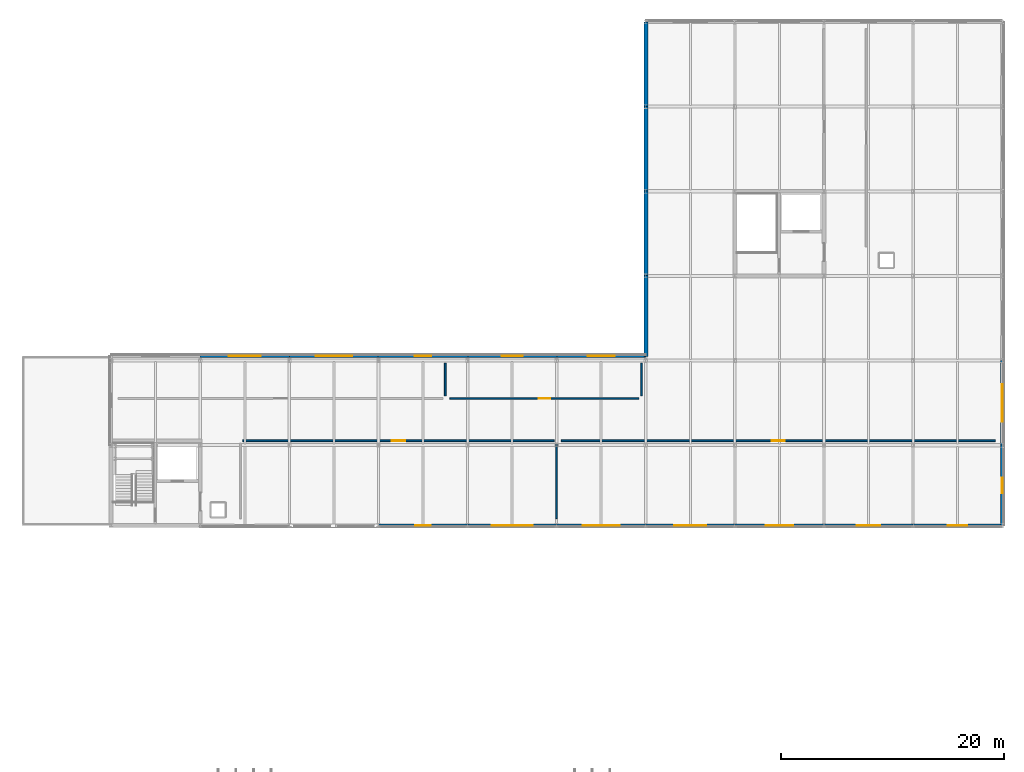
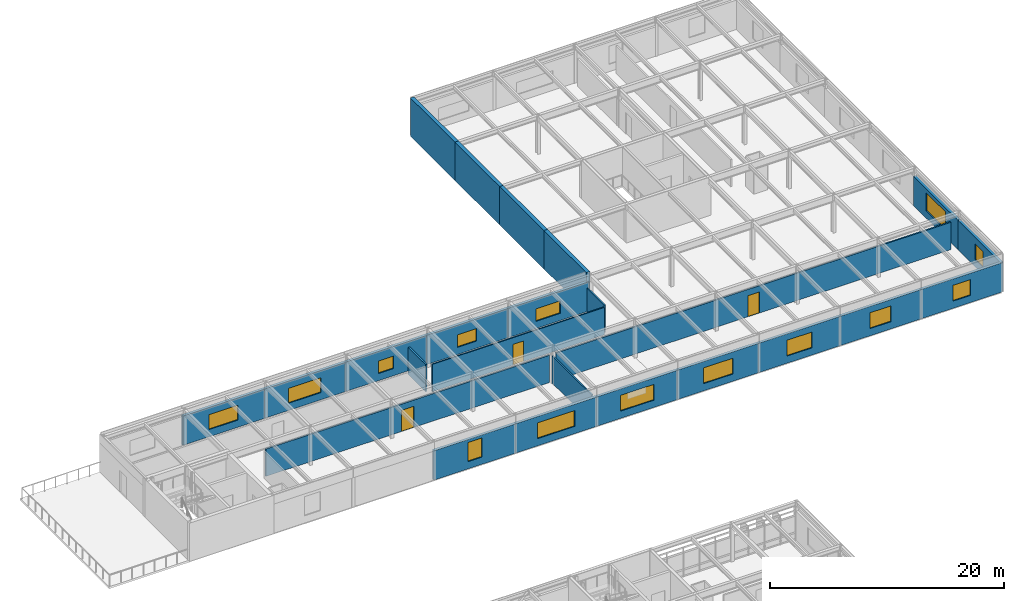
# One storey, part 25 of 33: 24 walls, 14 windows, 3 doors, 17 openings.
"""IFC4 building model written with IfcOpenShell, lengths in metres."""

from ifc_helpers import new_model, si_unit, direction, frame, frame_2d, origin, place, context, subcontext, project, spatial, rectangle, extrude, material, layer, layer_set, type_object, element, fill, save


model = new_model("IFC4")

# Units and contexts
model_context = context("Model", 3, precision=1e-05, world=origin(), true_north=direction((0.0, 1.0)))
body_context = subcontext(model_context, "Body", "Model", "MODEL_VIEW")
ifc_project = project(units=[si_unit("LENGTHUNIT", "METRE"), si_unit("AREAUNIT", "SQUARE_METRE"), si_unit("VOLUMEUNIT", "CUBIC_METRE"), si_unit("PLANEANGLEUNIT", "RADIAN"), si_unit("MASSUNIT", "GRAM", prefix="KILO")], contexts=[model_context])

# Site, building, storey
site_placement = place(None, origin())
site = spatial("IfcSite", under=ifc_project, at=site_placement, CompositionType="ELEMENT")
building_placement = place(site_placement, origin())
building = spatial("IfcBuilding", under=site, at=building_placement, Name="Zulena Civic Courthouse", CompositionType="ELEMENT")
storey_placement = place(building_placement, frame((0.0, 0.0, 33.60009765625)))
storey = spatial("IfcBuildingStorey", under=building, at=storey_placement, Name="L07", CompositionType="ELEMENT", Elevation=33.60009765625)

# Wall, opening, window
ifc_material_1 = material(Name="Buff architectural precast concrete C40/50", Category="concrete")
ifc_layer_1 = layer(ifc_material_1, 0.264892578125)
ifc_layer_set_1 = layer_set([ifc_layer_1], Name="Buff architectural precast concrete C40/50")
wall_type_1 = type_object("IfcWallType", Name="ExtWall_BuffPrecast_265", PredefinedType="STANDARD", material=ifc_layer_set_1)
wall_1_placement = place(storey_placement, frame((27.97998046875, 61.199951171875, 0.0), z_axis=(0.0, 0.0, 1.0), x_axis=(1.0, 0.0, 0.0)))
wall_1 = element("IfcWall", 1, at=wall_1_placement, inside=storey, type_object=wall_type_1, Name="ewall:V5:L07:1:1", PredefinedType="STANDARD", context=body_context, shape_type="SweptSolid", body=[
    extrude(rectangle(XDim=8.0400390625, YDim=0.264892578125, at=frame_2d((4.02001953125, 0.0))), origin(), (0.0, 0.0, 1.0), 3.059814453125),
])
opening_1_placement = place(wall_1_placement, frame((2.594970703125, 0.0, 0.75)))
opening_1 = element("IfcOpeningElement", 2, at=opening_1_placement, cuts=wall_1, Name="Opening WN28", PredefinedType="OPENING", context=body_context, shape_type="SweptSolid", body=[
    extrude(rectangle(XDim=2.85009765625, YDim=1.550048828125, at=frame_2d((1.425048828125, 0.77490234375))), frame((0.0, 0.142333984375, 0.0), z_axis=(0.0, -1.0, 0.0), x_axis=(1.0, 0.0, 0.0)), (0.0, 0.0, 1.0), 0.284912109375),
])
ifc_material_2 = material(Name="Double-silver low-E laminated solar-control glass", Category="glass")
window_type_1 = type_object("IfcWindowType", Name="Win_2850x1550", PartitioningType="DOUBLE_PANEL_VERTICAL", PredefinedType="WINDOW", material=ifc_material_2)
window_1_placement = place(opening_1_placement, origin())
window_1 = element("IfcWindow", 3, at=window_1_placement, inside=storey, type_object=window_type_1, Name="win:V5:L07:1:1", OverallHeight=1.550048828125, OverallWidth=2.85009765625, PartitioningType="SINGLE_PANEL", PredefinedType="WINDOW", context=body_context, shape_type="SweptSolid", body=[
    extrude(rectangle(XDim=2.85009765625, YDim=1.550048828125, at=frame_2d((1.425048828125, 0.77490234375))), frame((0.0, 0.030029296875, 0.0), z_axis=(0.0, -1.0, 0.0), x_axis=(1.0, 0.0, 0.0)), (0.0, 0.0, 1.0), 0.06005859375),
])
fill(opening_1, window_1)

wall_2_placement = place(storey_placement, frame((35.97998046875, 61.199951171875, 0.0), z_axis=(0.0, 0.0, 1.0), x_axis=(1.0, 0.0, 0.0)))
wall_2 = element("IfcWall", 4, at=wall_2_placement, inside=storey, type_object=wall_type_1, Name="ewall:V5:L07:1:2", PredefinedType="STANDARD", context=body_context, shape_type="SweptSolid", body=[
    extrude(rectangle(XDim=8.0400390625, YDim=0.264892578125, at=frame_2d((4.02001953125, 0.0))), origin(), (0.0, 0.0, 1.0), 3.059814453125),
])
opening_2_placement = place(wall_2_placement, frame((2.39501953125, 0.0, 0.75)))
opening_2 = element("IfcOpeningElement", 5, at=opening_2_placement, cuts=wall_2, Name="Opening WN29", PredefinedType="OPENING", context=body_context, shape_type="SweptSolid", body=[
    extrude(rectangle(XDim=3.25, YDim=1.550048828125, at=frame_2d((1.625, 0.77490234375))), frame((0.0, 0.142333984375, 0.0), z_axis=(0.0, -1.0, 0.0), x_axis=(1.0, 0.0, 0.0)), (0.0, 0.0, 1.0), 0.284912109375),
])
window_type_2 = type_object("IfcWindowType", Name="Win_3250x1550", PartitioningType="DOUBLE_PANEL_VERTICAL", PredefinedType="WINDOW", material=ifc_material_2)
window_2_placement = place(opening_2_placement, origin())
window_2 = element("IfcWindow", 6, at=window_2_placement, inside=storey, type_object=window_type_2, Name="win:V5:L07:1:2", OverallHeight=1.550048828125, OverallWidth=3.25, PartitioningType="SINGLE_PANEL", PredefinedType="WINDOW", context=body_context, shape_type="SweptSolid", body=[
    extrude(rectangle(XDim=3.25, YDim=1.550048828125, at=frame_2d((1.625, 0.77490234375))), frame((0.0, 0.030029296875, 0.0), z_axis=(0.0, -1.0, 0.0), x_axis=(1.0, 0.0, 0.0)), (0.0, 0.0, 1.0), 0.06005859375),
])
fill(opening_2, window_2)

wall_3_placement = place(storey_placement, frame((43.97998046875, 61.199951171875, 0.0), z_axis=(0.0, 0.0, 1.0), x_axis=(1.0, 0.0, 0.0)))
wall_3 = element("IfcWall", 7, at=wall_3_placement, inside=storey, type_object=wall_type_1, Name="ewall:V5:L07:1:3", PredefinedType="STANDARD", context=body_context, shape_type="SweptSolid", body=[
    extrude(rectangle(XDim=8.0400390625, YDim=0.264892578125, at=frame_2d((4.02001953125, 0.0))), origin(), (0.0, 0.0, 1.0), 3.059814453125),
])
opening_3_placement = place(wall_3_placement, frame((3.27001953125, 0.0, 0.75)))
opening_3 = element("IfcOpeningElement", 8, at=opening_3_placement, cuts=wall_3, Name="Opening WN30", PredefinedType="OPENING", context=body_context, shape_type="SweptSolid", body=[
    extrude(rectangle(XDim=1.5, YDim=1.300048828125, at=frame_2d((0.75, 0.64990234375))), frame((0.0, 0.142333984375, 0.0), z_axis=(0.0, -1.0, 0.0), x_axis=(1.0, 0.0, 0.0)), (0.0, 0.0, 1.0), 0.284912109375),
])
window_type_3 = type_object("IfcWindowType", Name="Win_1500x1300", PartitioningType="SINGLE_PANEL", PredefinedType="WINDOW", material=ifc_material_2)
window_3_placement = place(opening_3_placement, origin())
window_3 = element("IfcWindow", 9, at=window_3_placement, inside=storey, type_object=window_type_3, Name="win:V5:L07:1:3", OverallHeight=1.300048828125, OverallWidth=1.5, PartitioningType="SINGLE_PANEL", PredefinedType="WINDOW", context=body_context, shape_type="SweptSolid", body=[
    extrude(rectangle(XDim=1.5, YDim=1.300048828125, at=frame_2d((0.75, 0.64990234375))), frame((0.0, 0.030029296875, 0.0), z_axis=(0.0, -1.0, 0.0), x_axis=(1.0, 0.0, 0.0)), (0.0, 0.0, 1.0), 0.06005859375),
])
fill(opening_3, window_3)

wall_4_placement = place(storey_placement, frame((51.97998046875, 61.199951171875, 0.0), z_axis=(0.0, 0.0, 1.0), x_axis=(1.0, 0.0, 0.0)))
wall_4 = element("IfcWall", 10, at=wall_4_placement, inside=storey, type_object=wall_type_1, Name="ewall:V5:L07:1:4", PredefinedType="STANDARD", context=body_context, shape_type="SweptSolid", body=[
    extrude(rectangle(XDim=8.0400390625, YDim=0.264892578125, at=frame_2d((4.02001953125, 0.0))), origin(), (0.0, 0.0, 1.0), 3.059814453125),
])
opening_4_placement = place(wall_4_placement, frame((3.070068359375, 0.0, 0.75)))
opening_4 = element("IfcOpeningElement", 11, at=opening_4_placement, cuts=wall_4, Name="Opening WN31", PredefinedType="OPENING", context=body_context, shape_type="SweptSolid", body=[
    extrude(rectangle(XDim=1.89990234375, YDim=1.300048828125, at=frame_2d((0.949951171875, 0.64990234375))), frame((0.0, 0.142333984375, 0.0), z_axis=(0.0, -1.0, 0.0), x_axis=(1.0, 0.0, 0.0)), (0.0, 0.0, 1.0), 0.284912109375),
])
window_type_4 = type_object("IfcWindowType", Name="Win_1900x1300", PartitioningType="DOUBLE_PANEL_VERTICAL", PredefinedType="WINDOW", material=ifc_material_2)
window_4_placement = place(opening_4_placement, origin())
window_4 = element("IfcWindow", 12, at=window_4_placement, inside=storey, type_object=window_type_4, Name="win:V5:L07:1:4", OverallHeight=1.300048828125, OverallWidth=1.89990234375, PartitioningType="SINGLE_PANEL", PredefinedType="WINDOW", context=body_context, shape_type="SweptSolid", body=[
    extrude(rectangle(XDim=1.89990234375, YDim=1.300048828125, at=frame_2d((0.949951171875, 0.64990234375))), frame((0.0, 0.030029296875, 0.0), z_axis=(0.0, -1.0, 0.0), x_axis=(1.0, 0.0, 0.0)), (0.0, 0.0, 1.0), 0.06005859375),
])
fill(opening_4, window_4)

wall_5_placement = place(storey_placement, frame((59.97998046875, 61.199951171875, 0.0), z_axis=(0.0, 0.0, 1.0), x_axis=(1.0, 0.0, 0.0)))
wall_5 = element("IfcWall", 13, at=wall_5_placement, inside=storey, type_object=wall_type_1, Name="ewall:V5:L07:1:5", PredefinedType="STANDARD", context=body_context, shape_type="SweptSolid", body=[
    extrude(rectangle(XDim=8.0400390625, YDim=0.264892578125, at=frame_2d((4.02001953125, 0.0))), origin(), (0.0, 0.0, 1.0), 3.059814453125),
])
opening_5_placement = place(wall_5_placement, frame((2.820068359375, 0.0, 0.75)))
opening_5 = element("IfcOpeningElement", 14, at=opening_5_placement, cuts=wall_5, Name="Opening WN32", PredefinedType="OPENING", context=body_context, shape_type="SweptSolid", body=[
    extrude(rectangle(XDim=2.39990234375, YDim=1.300048828125, at=frame_2d((1.199951171875, 0.64990234375))), frame((0.0, 0.142333984375, 0.0), z_axis=(0.0, -1.0, 0.0), x_axis=(1.0, 0.0, 0.0)), (0.0, 0.0, 1.0), 0.284912109375),
])
window_type_5 = type_object("IfcWindowType", Name="Win_2400x1300", PartitioningType="DOUBLE_PANEL_VERTICAL", PredefinedType="WINDOW", material=ifc_material_2)
window_5_placement = place(opening_5_placement, origin())
window_5 = element("IfcWindow", 15, at=window_5_placement, inside=storey, type_object=window_type_5, Name="win:V5:L07:1:5", OverallHeight=1.300048828125, OverallWidth=2.39990234375, PartitioningType="SINGLE_PANEL", PredefinedType="WINDOW", context=body_context, shape_type="SweptSolid", body=[
    extrude(rectangle(XDim=2.39990234375, YDim=1.300048828125, at=frame_2d((1.199951171875, 0.64990234375))), frame((0.0, 0.030029296875, 0.0), z_axis=(0.0, -1.0, 0.0), x_axis=(1.0, 0.0, 0.0)), (0.0, 0.0, 1.0), 0.06005859375),
])
fill(opening_5, window_5)

wall_6_placement = place(storey_placement, frame((100.0, 60.820068359375, 0.0), z_axis=(0.0, 0.0, 1.0), x_axis=(0.0, -1.0, 0.0)))
wall_6 = element("IfcWall", 16, at=wall_6_placement, inside=storey, type_object=wall_type_1, Name="ewall:V5:L07:4:4", PredefinedType="STANDARD", context=body_context, shape_type="SweptSolid", body=[
    extrude(rectangle(XDim=7.64013671875, YDim=0.264892578125, at=frame_2d((3.820068359375, 0.0))), origin(), (0.0, 0.0, 1.0), 3.059814453125),
])
opening_6_placement = place(wall_6_placement, frame((2.14501953125, 0.0, 0.75)))
opening_6 = element("IfcOpeningElement", 17, at=opening_6_placement, cuts=wall_6, Name="Opening WN41", PredefinedType="OPENING", context=body_context, shape_type="SweptSolid", body=[
    extrude(rectangle(XDim=3.35009765625, YDim=1.89990234375, at=frame_2d((1.675048828125, 0.949951171875))), frame((0.0, 0.142333984375, 0.0), z_axis=(0.0, -1.0, 0.0), x_axis=(1.0, 0.0, 0.0)), (0.0, 0.0, 1.0), 0.284912109375),
])
window_type_6 = type_object("IfcWindowType", Name="Win_3350x1900", PartitioningType="DOUBLE_PANEL_VERTICAL", PredefinedType="WINDOW", material=ifc_material_2)
window_6_placement = place(opening_6_placement, origin())
window_6 = element("IfcWindow", 18, at=window_6_placement, inside=storey, type_object=window_type_6, Name="win:V5:L07:4:4", OverallHeight=1.89990234375, OverallWidth=3.35009765625, PartitioningType="SINGLE_PANEL", PredefinedType="WINDOW", context=body_context, shape_type="SweptSolid", body=[
    extrude(rectangle(XDim=3.35009765625, YDim=1.89990234375, at=frame_2d((1.675048828125, 0.949951171875))), frame((0.0, 0.030029296875, 0.0), z_axis=(0.0, -1.0, 0.0), x_axis=(1.0, 0.0, 0.0)), (0.0, 0.0, 1.0), 0.06005859375),
])
fill(opening_6, window_6)

wall_7_placement = place(storey_placement, frame((100.0, 53.219970703125, 0.0), z_axis=(0.0, 0.0, 1.0), x_axis=(0.0, -1.0, 0.0)))
wall_7 = element("IfcWall", 19, at=wall_7_placement, inside=storey, type_object=wall_type_1, Name="ewall:V5:L07:4:5", PredefinedType="STANDARD", context=body_context, shape_type="SweptSolid", body=[
    extrude(rectangle(XDim=7.239990234375, YDim=0.264892578125, at=frame_2d((3.6201171875, 0.0))), origin(), (0.0, 0.0, 1.0), 3.059814453125),
])
opening_7_placement = place(wall_7_placement, frame((2.919921875, 0.0, 0.75)))
opening_7 = element("IfcOpeningElement", 20, at=opening_7_placement, cuts=wall_7, Name="Opening WN42", PredefinedType="OPENING", context=body_context, shape_type="SweptSolid", body=[
    extrude(rectangle(XDim=1.39990234375, YDim=1.64990234375, at=frame_2d((0.699951171875, 0.824951171875))), frame((0.0, 0.142333984375, 0.0), z_axis=(0.0, -1.0, 0.0), x_axis=(1.0, 0.0, 0.0)), (0.0, 0.0, 1.0), 0.284912109375),
])
window_type_7 = type_object("IfcWindowType", Name="Win_1400x1650", PartitioningType="SINGLE_PANEL", PredefinedType="WINDOW", material=ifc_material_2)
window_7_placement = place(opening_7_placement, origin())
window_7 = element("IfcWindow", 21, at=window_7_placement, inside=storey, type_object=window_type_7, Name="win:V5:L07:4:5", OverallHeight=1.64990234375, OverallWidth=1.39990234375, PartitioningType="SINGLE_PANEL", PredefinedType="WINDOW", context=body_context, shape_type="SweptSolid", body=[
    extrude(rectangle(XDim=1.39990234375, YDim=1.64990234375, at=frame_2d((0.699951171875, 0.824951171875))), frame((0.0, 0.030029296875, 0.0), z_axis=(0.0, -1.0, 0.0), x_axis=(1.0, 0.0, 0.0)), (0.0, 0.0, 1.0), 0.06005859375),
])
fill(opening_7, window_7)

wall_8_placement = place(storey_placement, frame((100.02001953125, 46.0, 0.0), z_axis=(0.0, 0.0, 1.0), x_axis=(-1.0, 0.0, 0.0)))
wall_8 = element("IfcWall", 22, at=wall_8_placement, inside=storey, type_object=wall_type_1, Name="ewall:V5:L07:5:0", PredefinedType="STANDARD", context=body_context, shape_type="SweptSolid", body=[
    extrude(rectangle(XDim=8.0400390625, YDim=0.264892578125, at=frame_2d((4.02001953125, 0.0))), origin(), (0.0, 0.0, 1.0), 3.059814453125),
])
opening_8_placement = place(wall_8_placement, frame((3.14501953125, 0.0, 0.75)))
opening_8 = element("IfcOpeningElement", 23, at=opening_8_placement, cuts=wall_8, Name="Opening WN43", PredefinedType="OPENING", context=body_context, shape_type="SweptSolid", body=[
    extrude(rectangle(XDim=1.75, YDim=1.64990234375, at=frame_2d((0.875, 0.824951171875))), frame((0.0, 0.142333984375, 0.0), z_axis=(0.0, -1.0, 0.0), x_axis=(1.0, 0.0, 0.0)), (0.0, 0.0, 1.0), 0.284912109375),
])
window_type_8 = type_object("IfcWindowType", Name="Win_1750x1650", PartitioningType="SINGLE_PANEL", PredefinedType="WINDOW", material=ifc_material_2)
window_8_placement = place(opening_8_placement, origin())
window_8 = element("IfcWindow", 24, at=window_8_placement, inside=storey, type_object=window_type_8, Name="win:V5:L07:5:0", OverallHeight=1.64990234375, OverallWidth=1.75, PartitioningType="SINGLE_PANEL", PredefinedType="WINDOW", context=body_context, shape_type="SweptSolid", body=[
    extrude(rectangle(XDim=1.75, YDim=1.64990234375, at=frame_2d((0.875, 0.824951171875))), frame((0.0, 0.030029296875, 0.0), z_axis=(0.0, -1.0, 0.0), x_axis=(1.0, 0.0, 0.0)), (0.0, 0.0, 1.0), 0.06005859375),
])
fill(opening_8, window_8)

wall_9_placement = place(storey_placement, frame((92.02001953125, 46.0, 0.0), z_axis=(0.0, 0.0, 1.0), x_axis=(-1.0, 0.0, 0.0)))
wall_9 = element("IfcWall", 25, at=wall_9_placement, inside=storey, type_object=wall_type_1, Name="ewall:V5:L07:5:1", PredefinedType="STANDARD", context=body_context, shape_type="SweptSolid", body=[
    extrude(rectangle(XDim=8.0400390625, YDim=0.264892578125, at=frame_2d((4.02001953125, 0.0))), origin(), (0.0, 0.0, 1.0), 3.059814453125),
])
opening_9_placement = place(wall_9_placement, frame((2.969970703125, 0.0, 0.75)))
opening_9 = element("IfcOpeningElement", 26, at=opening_9_placement, cuts=wall_9, Name="Opening WN44", PredefinedType="OPENING", context=body_context, shape_type="SweptSolid", body=[
    extrude(rectangle(XDim=2.10009765625, YDim=1.64990234375, at=frame_2d((1.050048828125, 0.824951171875))), frame((0.0, 0.142333984375, 0.0), z_axis=(0.0, -1.0, 0.0), x_axis=(1.0, 0.0, 0.0)), (0.0, 0.0, 1.0), 0.284912109375),
])
window_type_9 = type_object("IfcWindowType", Name="Win_2100x1650", PartitioningType="DOUBLE_PANEL_VERTICAL", PredefinedType="WINDOW", material=ifc_material_2)
window_9_placement = place(opening_9_placement, origin())
window_9 = element("IfcWindow", 27, at=window_9_placement, inside=storey, type_object=window_type_9, Name="win:V5:L07:5:1", OverallHeight=1.64990234375, OverallWidth=2.10009765625, PartitioningType="SINGLE_PANEL", PredefinedType="WINDOW", context=body_context, shape_type="SweptSolid", body=[
    extrude(rectangle(XDim=2.10009765625, YDim=1.64990234375, at=frame_2d((1.050048828125, 0.824951171875))), frame((0.0, 0.030029296875, 0.0), z_axis=(0.0, -1.0, 0.0), x_axis=(1.0, 0.0, 0.0)), (0.0, 0.0, 1.0), 0.06005859375),
])
fill(opening_9, window_9)

wall_10_placement = place(storey_placement, frame((84.02001953125, 46.0, 0.0), z_axis=(0.0, 0.0, 1.0), x_axis=(-1.0, 0.0, 0.0)))
wall_10 = element("IfcWall", 28, at=wall_10_placement, inside=storey, type_object=wall_type_1, Name="ewall:V5:L07:5:2", PredefinedType="STANDARD", context=body_context, shape_type="SweptSolid", body=[
    extrude(rectangle(XDim=8.0400390625, YDim=0.264892578125, at=frame_2d((4.02001953125, 0.0))), origin(), (0.0, 0.0, 1.0), 3.059814453125),
])
opening_10_placement = place(wall_10_placement, frame((2.77001953125, 0.0, 0.75)))
opening_10 = element("IfcOpeningElement", 29, at=opening_10_placement, cuts=wall_10, Name="Opening WN45", PredefinedType="OPENING", context=body_context, shape_type="SweptSolid", body=[
    extrude(rectangle(XDim=2.5, YDim=1.64990234375, at=frame_2d((1.25, 0.824951171875))), frame((0.0, 0.142333984375, 0.0), z_axis=(0.0, -1.0, 0.0), x_axis=(1.0, 0.0, 0.0)), (0.0, 0.0, 1.0), 0.284912109375),
])
window_type_10 = type_object("IfcWindowType", Name="Win_2500x1650", PartitioningType="DOUBLE_PANEL_VERTICAL", PredefinedType="WINDOW", material=ifc_material_2)
window_10_placement = place(opening_10_placement, origin())
window_10 = element("IfcWindow", 30, at=window_10_placement, inside=storey, type_object=window_type_10, Name="win:V5:L07:5:2", OverallHeight=1.64990234375, OverallWidth=2.5, PartitioningType="SINGLE_PANEL", PredefinedType="WINDOW", context=body_context, shape_type="SweptSolid", body=[
    extrude(rectangle(XDim=2.5, YDim=1.64990234375, at=frame_2d((1.25, 0.824951171875))), frame((0.0, 0.030029296875, 0.0), z_axis=(0.0, -1.0, 0.0), x_axis=(1.0, 0.0, 0.0)), (0.0, 0.0, 1.0), 0.06005859375),
])
fill(opening_10, window_10)

wall_11_placement = place(storey_placement, frame((76.02001953125, 46.0, 0.0), z_axis=(0.0, 0.0, 1.0), x_axis=(-1.0, 0.0, 0.0)))
wall_11 = element("IfcWall", 31, at=wall_11_placement, inside=storey, type_object=wall_type_1, Name="ewall:V5:L07:5:3", PredefinedType="STANDARD", context=body_context, shape_type="SweptSolid", body=[
    extrude(rectangle(XDim=8.0400390625, YDim=0.264892578125, at=frame_2d((4.02001953125, 0.0))), origin(), (0.0, 0.0, 1.0), 3.059814453125),
])
opening_11_placement = place(wall_11_placement, frame((2.570068359375, 0.0, 0.75)))
opening_11 = element("IfcOpeningElement", 32, at=opening_11_placement, cuts=wall_11, Name="Opening WN46", PredefinedType="OPENING", context=body_context, shape_type="SweptSolid", body=[
    extrude(rectangle(XDim=2.89990234375, YDim=1.64990234375, at=frame_2d((1.449951171875, 0.824951171875))), frame((0.0, 0.142333984375, 0.0), z_axis=(0.0, -1.0, 0.0), x_axis=(1.0, 0.0, 0.0)), (0.0, 0.0, 1.0), 0.284912109375),
])
window_type_11 = type_object("IfcWindowType", Name="Win_2900x1650", PartitioningType="DOUBLE_PANEL_VERTICAL", PredefinedType="WINDOW", material=ifc_material_2)
window_11_placement = place(opening_11_placement, origin())
window_11 = element("IfcWindow", 33, at=window_11_placement, inside=storey, type_object=window_type_11, Name="win:V5:L07:5:3", OverallHeight=1.64990234375, OverallWidth=2.89990234375, PartitioningType="SINGLE_PANEL", PredefinedType="WINDOW", context=body_context, shape_type="SweptSolid", body=[
    extrude(rectangle(XDim=2.89990234375, YDim=1.64990234375, at=frame_2d((1.449951171875, 0.824951171875))), frame((0.0, 0.030029296875, 0.0), z_axis=(0.0, -1.0, 0.0), x_axis=(1.0, 0.0, 0.0)), (0.0, 0.0, 1.0), 0.06005859375),
])
fill(opening_11, window_11)

wall_12_placement = place(storey_placement, frame((68.02001953125, 46.0, 0.0), z_axis=(0.0, 0.0, 1.0), x_axis=(-1.0, 0.0, 0.0)))
wall_12 = element("IfcWall", 34, at=wall_12_placement, inside=storey, type_object=wall_type_1, Name="ewall:V5:L07:5:4", PredefinedType="STANDARD", context=body_context, shape_type="SweptSolid", body=[
    extrude(rectangle(XDim=8.0400390625, YDim=0.264892578125, at=frame_2d((4.02001953125, 0.0))), origin(), (0.0, 0.0, 1.0), 3.059814453125),
])
opening_12_placement = place(wall_12_placement, frame((2.3701171875, 0.0, 0.75)))
opening_12 = element("IfcOpeningElement", 35, at=opening_12_placement, cuts=wall_12, Name="Opening WN47", PredefinedType="OPENING", context=body_context, shape_type="SweptSolid", body=[
    extrude(rectangle(XDim=3.300048828125, YDim=1.64990234375, at=frame_2d((1.64990234375, 0.824951171875))), frame((0.0, 0.142333984375, 0.0), z_axis=(0.0, -1.0, 0.0), x_axis=(1.0, 0.0, 0.0)), (0.0, 0.0, 1.0), 0.284912109375),
])
window_type_12 = type_object("IfcWindowType", Name="Win_3300x1650", PartitioningType="DOUBLE_PANEL_VERTICAL", PredefinedType="WINDOW", material=ifc_material_2)
window_12_placement = place(opening_12_placement, origin())
window_12 = element("IfcWindow", 36, at=window_12_placement, inside=storey, type_object=window_type_12, Name="win:V5:L07:5:4", OverallHeight=1.64990234375, OverallWidth=3.300048828125, PartitioningType="SINGLE_PANEL", PredefinedType="WINDOW", context=body_context, shape_type="SweptSolid", body=[
    extrude(rectangle(XDim=3.300048828125, YDim=1.64990234375, at=frame_2d((1.64990234375, 0.824951171875))), frame((0.0, 0.030029296875, 0.0), z_axis=(0.0, -1.0, 0.0), x_axis=(1.0, 0.0, 0.0)), (0.0, 0.0, 1.0), 0.06005859375),
])
fill(opening_12, window_12)

wall_13_placement = place(storey_placement, frame((60.02001953125, 46.0, 0.0), z_axis=(0.0, 0.0, 1.0), x_axis=(-1.0, 0.0, 0.0)))
wall_13 = element("IfcWall", 37, at=wall_13_placement, inside=storey, type_object=wall_type_1, Name="ewall:V5:L07:5:5", PredefinedType="STANDARD", context=body_context, shape_type="SweptSolid", body=[
    extrude(rectangle(XDim=8.0400390625, YDim=0.264892578125, at=frame_2d((4.02001953125, 0.0))), origin(), (0.0, 0.0, 1.0), 3.059814453125),
])
opening_13_placement = place(wall_13_placement, frame((2.169921875, 0.0, 0.75)))
opening_13 = element("IfcOpeningElement", 38, at=opening_13_placement, cuts=wall_13, Name="Opening WN48", PredefinedType="OPENING", context=body_context, shape_type="SweptSolid", body=[
    extrude(rectangle(XDim=3.699951171875, YDim=1.64990234375, at=frame_2d((1.85009765625, 0.824951171875))), frame((0.0, 0.142333984375, 0.0), z_axis=(0.0, -1.0, 0.0), x_axis=(1.0, 0.0, 0.0)), (0.0, 0.0, 1.0), 0.284912109375),
])
window_type_13 = type_object("IfcWindowType", Name="Win_3700x1650", PartitioningType="DOUBLE_PANEL_VERTICAL", PredefinedType="WINDOW", material=ifc_material_2)
window_13_placement = place(opening_13_placement, origin())
window_13 = element("IfcWindow", 39, at=window_13_placement, inside=storey, type_object=window_type_13, Name="win:V5:L07:5:5", OverallHeight=1.64990234375, OverallWidth=3.699951171875, PartitioningType="SINGLE_PANEL", PredefinedType="WINDOW", context=body_context, shape_type="SweptSolid", body=[
    extrude(rectangle(XDim=3.699951171875, YDim=1.64990234375, at=frame_2d((1.85009765625, 0.824951171875))), frame((0.0, 0.030029296875, 0.0), z_axis=(0.0, -1.0, 0.0), x_axis=(1.0, 0.0, 0.0)), (0.0, 0.0, 1.0), 0.06005859375),
])
fill(opening_13, window_13)

wall_14_placement = place(storey_placement, frame((52.02001953125, 46.0, 0.0), z_axis=(0.0, 0.0, 1.0), x_axis=(-1.0, 0.0, 0.0)))
wall_14 = element("IfcWall", 40, at=wall_14_placement, inside=storey, type_object=wall_type_1, Name="ewall:V5:L07:5:6", PredefinedType="STANDARD", context=body_context, shape_type="SweptSolid", body=[
    extrude(rectangle(XDim=8.0400390625, YDim=0.264892578125, at=frame_2d((4.02001953125, 0.0))), origin(), (0.0, 0.0, 1.0), 3.059814453125),
])
opening_14_placement = place(wall_14_placement, frame((3.320068359375, 0.0, 0.75)))
opening_14 = element("IfcOpeningElement", 41, at=opening_14_placement, cuts=wall_14, Name="Opening WN01", PredefinedType="OPENING", context=body_context, shape_type="SweptSolid", body=[
    extrude(rectangle(XDim=1.39990234375, YDim=2.0, at=frame_2d((0.699951171875, 1.0))), frame((0.0, 0.142333984375, 0.0), z_axis=(0.0, -1.0, 0.0), x_axis=(1.0, 0.0, 0.0)), (0.0, 0.0, 1.0), 0.284912109375),
])
window_type_14 = type_object("IfcWindowType", Name="Win_1400x2000", PartitioningType="SINGLE_PANEL", PredefinedType="WINDOW", material=ifc_material_2)
window_14_placement = place(opening_14_placement, origin())
window_14 = element("IfcWindow", 42, at=window_14_placement, inside=storey, type_object=window_type_14, Name="win:V5:L07:5:6", OverallHeight=2.0, OverallWidth=1.39990234375, PartitioningType="SINGLE_PANEL", PredefinedType="WINDOW", context=body_context, shape_type="SweptSolid", body=[
    extrude(rectangle(XDim=1.39990234375, YDim=2.0, at=frame_2d((0.699951171875, 1.0))), frame((0.0, 0.030029296875, 0.0), z_axis=(0.0, -1.0, 0.0), x_axis=(1.0, 0.0, 0.0)), (0.0, 0.0, 1.0), 0.06005859375),
])
fill(opening_14, window_14)

# Walls
ifc_material_3 = material(Name="Concrete C40/50", Category="concrete")
ifc_layer_2 = layer(ifc_material_3, 0.360107421875)
ifc_layer_set_2 = layer_set([ifc_layer_2], Name="Concrete C40/50")
wall_type_2 = type_object("IfcWallType", Name="ExtWall_PartyWall_360", PredefinedType="STANDARD", material=ifc_layer_set_2)
wall_15_placement = place(storey_placement, frame((68.0, 61.179931640625, 0.0), z_axis=(0.0, 0.0, 1.0), x_axis=(0.0, 1.0, 0.0)))
element("IfcWall", 43, at=wall_15_placement, inside=storey, type_object=wall_type_2, Name="ewall:V5:L07:2:0", PredefinedType="STANDARD", context=body_context, shape_type="SweptSolid", body=[
    extrude(rectangle(XDim=7.239990234375, YDim=0.360107421875, at=frame_2d((3.6201171875, 0.0))), origin(), (0.0, 0.0, 1.0), 4.0),
])
for number, where, z_axis, x_axis, name in (
    (44, (68.0, 68.3798828125, 0.0), (0.0, 0.0, 1.0), (0.0, 1.0, 0.0), "ewall:V5:L07:2:1"),
    (45, (68.0, 75.97998046875, 0.0), (0.0, 0.0, 1.0), (0.0, 1.0, 0.0), "ewall:V5:L07:2:2"),
):
    element("IfcWall", number, at=place(storey_placement, frame(where, z_axis=z_axis, x_axis=x_axis)), inside=storey, type_object=wall_type_2, Name=name, PredefinedType="STANDARD", context=body_context, shape_type="SweptSolid", body=[
        extrude(rectangle(XDim=7.64013671875, YDim=0.360107421875, at=frame_2d((3.820068359375, 0.0))), origin(), (0.0, 0.0, 1.0), 4.0),
    ])
wall_16_placement = place(storey_placement, frame((68.0, 83.580078125, 0.0), z_axis=(0.0, 0.0, 1.0), x_axis=(0.0, 1.0, 0.0)))
element("IfcWall", 46, at=wall_16_placement, inside=storey, type_object=wall_type_2, Name="ewall:V5:L07:2:3", PredefinedType="STANDARD", context=body_context, shape_type="SweptSolid", body=[
    extrude(rectangle(XDim=7.639892578125, YDim=0.360107421875, at=frame_2d((3.81982421875, 0.0))), origin(), (0.0, 0.0, 1.0), 4.0),
])

# Wall, opening, door
ifc_material_4 = material(Name="Acoustic fire-rated gypsum board assembly", Category="masonry")
ifc_layer_3 = layer(ifc_material_4, 0.14599609375)
ifc_layer_set_3 = layer_set([ifc_layer_3], Name="Acoustic fire-rated gypsum board assembly")
wall_type_3 = type_object("IfcWallType", Name="PartWall_Chambers_146", PredefinedType="PARTITIONING", material=ifc_layer_set_3)
wall_17_placement = place(storey_placement, frame((31.820068359375, 53.60009765625, 0.0), z_axis=(0.0, 0.0, 1.0), x_axis=(1.0, 0.0, 0.0)))
wall_17 = element("IfcWall", 47, at=wall_17_placement, inside=storey, type_object=wall_type_3, Name="pwall:L07:429:0", PredefinedType="PARTITIONING", context=body_context, shape_type="SweptSolid", body=[
    extrude(rectangle(XDim=27.9599609375, YDim=0.14599609375, at=frame_2d((13.97998046875, 0.0))), origin(), (0.0, 0.0, 1.0), 2.849853515625),
])
opening_15_placement = place(wall_17_placement, frame((13.3798828125, 0.0, 0.0)))
opening_15 = element("IfcOpeningElement", 48, at=opening_15_placement, cuts=wall_17, Name="Opening ID07", PredefinedType="OPENING", context=body_context, shape_type="SweptSolid", body=[
    extrude(rectangle(XDim=1.199951171875, YDim=2.199951171875, at=frame_2d((0.60009765625, 1.10009765625))), frame((0.0, 0.0830078125, 0.0), z_axis=(0.0, -1.0, 0.0), x_axis=(1.0, 0.0, 0.0)), (0.0, 0.0, 1.0), 0.166015625),
])
ifc_material_5 = material(Name="Fire-rated galvanised steel ASTM A653 Grade 50", Category="steel")
door_type_1 = type_object("IfcDoorType", Name="IntDoor_Stair_1200x2200", OperationType="NOTDEFINED", PredefinedType="DOOR", material=ifc_material_5)
door_1_placement = place(opening_15_placement, origin())
door_1 = element("IfcDoor", 49, at=door_1_placement, inside=storey, type_object=door_type_1, Name="door:rm:L07:429", OperationType="SINGLE_SWING_LEFT", OverallHeight=2.199951171875, OverallWidth=1.199951171875, PredefinedType="DOOR", context=body_context, shape_type="SweptSolid", body=[
    extrude(rectangle(XDim=1.199951171875, YDim=2.199951171875, at=frame_2d((0.60009765625, 1.10009765625))), frame((0.0, 0.02490234375, 0.0), z_axis=(0.0, -1.0, 0.0), x_axis=(1.0, 0.0, 0.0)), (0.0, 0.0, 1.0), 0.050048828125),
])
fill(opening_15, door_1)

# Wall
wall_18_placement = place(storey_placement, frame((60.0, 46.6201171875, 0.0), z_axis=(0.0, 0.0, 1.0), x_axis=(0.0, 1.0, 0.0)))
element("IfcWall", 50, at=wall_18_placement, inside=storey, type_object=wall_type_3, Name="pwall:L07:429:2", PredefinedType="PARTITIONING", context=body_context, shape_type="SweptSolid", body=[
    extrude(rectangle(XDim=6.759765625, YDim=0.14599609375, at=frame_2d((3.3798828125, 0.0))), origin(), (0.0, 0.0, 1.0), 2.849853515625),
])

# Wall, opening, door
wall_19_placement = place(storey_placement, frame((60.419921875, 53.60009765625, 0.0), z_axis=(0.0, 0.0, 1.0), x_axis=(1.0, 0.0, 0.0)))
wall_19 = element("IfcWall", 51, at=wall_19_placement, inside=storey, type_object=wall_type_3, Name="pwall:L07:430:0", PredefinedType="PARTITIONING", context=body_context, shape_type="SweptSolid", body=[
    extrude(rectangle(XDim=38.9599609375, YDim=0.14599609375, at=frame_2d((19.47998046875, 0.0))), origin(), (0.0, 0.0, 1.0), 2.849853515625),
])
opening_16_placement = place(wall_19_placement, frame((18.905029296875, 0.0, 0.0)))
opening_16 = element("IfcOpeningElement", 52, at=opening_16_placement, cuts=wall_19, Name="Opening ID08", PredefinedType="OPENING", context=body_context, shape_type="SweptSolid", body=[
    extrude(rectangle(XDim=1.14990234375, YDim=2.199951171875, at=frame_2d((0.574951171875, 1.10009765625))), frame((0.0, 0.0830078125, 0.0), z_axis=(0.0, -1.0, 0.0), x_axis=(1.0, 0.0, 0.0)), (0.0, 0.0, 1.0), 0.166015625),
])
door_type_2 = type_object("IfcDoorType", Name="IntDoor_Stair_1150x2200", OperationType="NOTDEFINED", PredefinedType="DOOR", material=ifc_material_5)
door_2_placement = place(opening_16_placement, origin())
door_2 = element("IfcDoor", 53, at=door_2_placement, inside=storey, type_object=door_type_2, Name="door:rm:L07:430", OperationType="SINGLE_SWING_RIGHT", OverallHeight=2.199951171875, OverallWidth=1.14990234375, PredefinedType="DOOR", context=body_context, shape_type="SweptSolid", body=[
    extrude(rectangle(XDim=1.14990234375, YDim=2.199951171875, at=frame_2d((0.574951171875, 1.10009765625))), frame((0.0, 0.02490234375, 0.0), z_axis=(0.0, -1.0, 0.0), x_axis=(1.0, 0.0, 0.0)), (0.0, 0.0, 1.0), 0.050048828125),
])
fill(opening_16, door_2)

# Wall
ifc_layer_4 = layer(ifc_material_4, 0.162109375)
ifc_layer_set_4 = layer_set([ifc_layer_4], Name="Acoustic fire-rated gypsum board assembly")
wall_type_4 = type_object("IfcWallType", Name="PartWall_Jury_162", PredefinedType="PARTITIONING", material=ifc_layer_set_4)
wall_20_placement = place(storey_placement, frame((50.0, 57.6201171875, 0.0), z_axis=(0.0, 0.0, 1.0), x_axis=(0.0, 1.0, 0.0)))
element("IfcWall", 54, at=wall_20_placement, inside=storey, type_object=wall_type_4, Name="pwall:L07:431:1", PredefinedType="PARTITIONING", context=body_context, shape_type="SweptSolid", body=[
    extrude(rectangle(XDim=2.9599609375, YDim=0.162109375, at=frame_2d((1.47998046875, 0.0))), origin(), (0.0, 0.0, 1.0), 2.849853515625),
])

# Wall, opening, door
ifc_material_6 = material(Name="Insulated blockwork masonry ASTM C90", Category="masonry")
ifc_layer_5 = layer(ifc_material_6, 0.1279296875)
ifc_layer_set_5 = layer_set([ifc_layer_5], Name="Insulated blockwork masonry ASTM C90")
wall_type_5 = type_object("IfcWallType", Name="PartWall_WetRoom_128", PredefinedType="PARTITIONING", material=ifc_layer_set_5)
wall_21_placement = place(storey_placement, frame((50.419921875, 57.39990234375, 0.0), z_axis=(0.0, 0.0, 1.0), x_axis=(1.0, 0.0, 0.0)))
wall_21 = element("IfcWall", 55, at=wall_21_placement, inside=storey, type_object=wall_type_5, Name="pwall:L07:432:0", PredefinedType="PARTITIONING", context=body_context, shape_type="SweptSolid", body=[
    extrude(rectangle(XDim=16.9599609375, YDim=0.1279296875, at=frame_2d((8.47998046875, 0.0))), origin(), (0.0, 0.0, 1.0), 2.849853515625),
])
opening_17_placement = place(wall_21_placement, frame((7.955078125, 0.0, 0.0)))
opening_17 = element("IfcOpeningElement", 56, at=opening_17_placement, cuts=wall_21, Name="Opening ID10", PredefinedType="OPENING", context=body_context, shape_type="SweptSolid", body=[
    extrude(rectangle(XDim=1.050048828125, YDim=2.14990234375, at=frame_2d((0.52490234375, 1.074951171875))), frame((0.0, 0.073974609375, 0.0), z_axis=(0.0, -1.0, 0.0), x_axis=(1.0, 0.0, 0.0)), (0.0, 0.0, 1.0), 0.14794921875),
])
door_type_3 = type_object("IfcDoorType", Name="IntDoor_Holding_1050x2150", OperationType="NOTDEFINED", PredefinedType="DOOR", material=ifc_material_5)
door_3_placement = place(opening_17_placement, origin())
door_3 = element("IfcDoor", 57, at=door_3_placement, inside=storey, type_object=door_type_3, Name="door:rm:L07:432", OperationType="SINGLE_SWING_RIGHT", OverallHeight=2.14990234375, OverallWidth=1.050048828125, PredefinedType="DOOR", context=body_context, shape_type="SweptSolid", body=[
    extrude(rectangle(XDim=1.050048828125, YDim=2.14990234375, at=frame_2d((0.52490234375, 1.074951171875))), frame((0.0, 0.02490234375, 0.0), z_axis=(0.0, -1.0, 0.0), x_axis=(1.0, 0.0, 0.0)), (0.0, 0.0, 1.0), 0.050048828125),
])
fill(opening_17, door_3)

# Wall
wall_22_placement = place(storey_placement, frame((67.60009765625, 57.6201171875, 0.0), z_axis=(0.0, 0.0, 1.0), x_axis=(0.0, 1.0, 0.0)))
element("IfcWall", 58, at=wall_22_placement, inside=storey, type_object=wall_type_5, Name="pwall:L07:432:1", PredefinedType="PARTITIONING", context=body_context, shape_type="SweptSolid", body=[
    extrude(rectangle(XDim=2.9599609375, YDim=0.1279296875, at=frame_2d((1.47998046875, 0.0))), origin(), (0.0, 0.0, 1.0), 2.849853515625),
])

save(model, "model.ifc")
